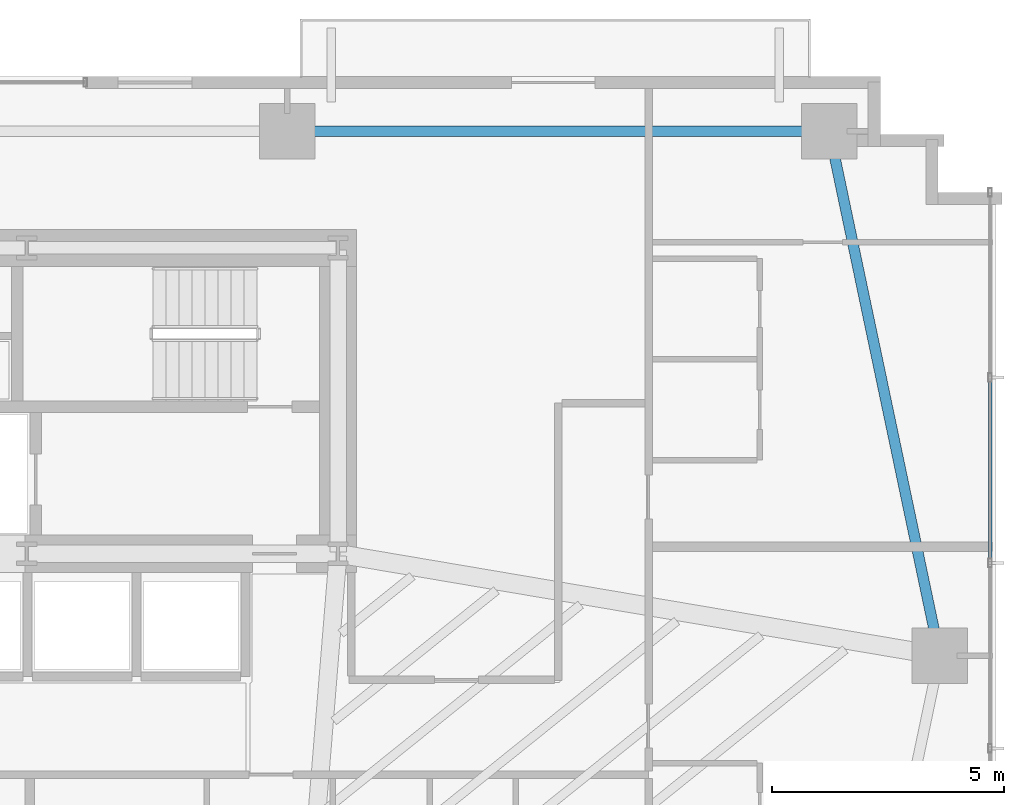
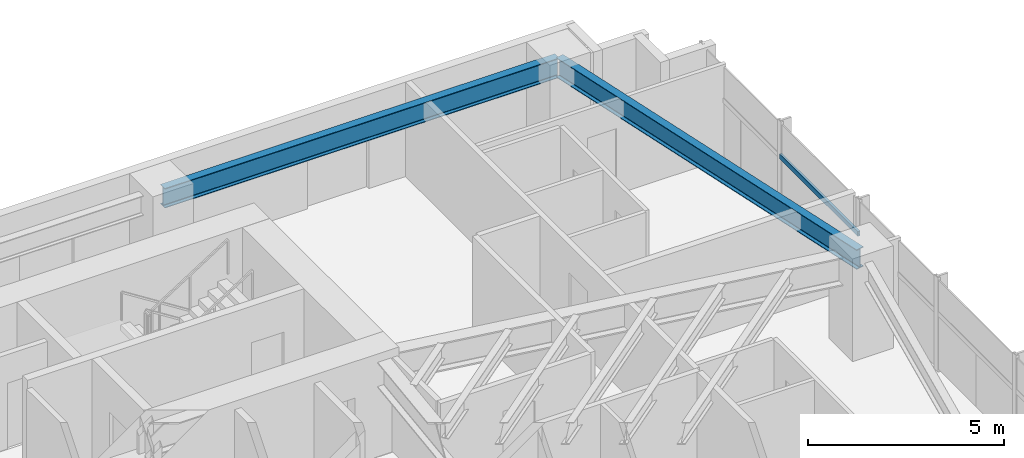
# One storey, part 16 of 25: 2 beams, 1 member, 1 element without a shape of its own.
"""IFC4 building model written with IfcOpenShell, lengths in metres."""

import ifcopenshell
import ifcopenshell.guid

model = None  # the IFC model being written
_history = None  # IfcOwnerHistory: only IFC2X3 demands one
_inside = {}  # id of a spatial element -> (the spatial element, [elements in it])
_under = {}  # id of a project, library or spatial element -> (it, [spatial elements below it])
_declared = {}  # id of a project -> (the project, [libraries it declares])
_typed = {}  # id of a type object -> (the type object, [elements of that type])
_made_of = {}  # id of a material, layer set ... -> (it, [elements and type objects made of it])


def new_model(schema):
    """Start an empty IFC model of exactly this schema.

    Asked for "IFC4X3", IfcOpenShell would pick the latest addendum, in which some entities
    have other attributes; the version numbers below select the first issue.
    IFC2X3 requires an IfcOwnerHistory on every rooted entity: one is made here for all.
    """
    global model, _history
    if schema == "IFC4X3":
        model = ifcopenshell.file(schema_version=(4, 3, 0, 0))
    else:
        model = ifcopenshell.file(schema=schema)
    _inside.clear()
    _under.clear()
    _declared.clear()
    _typed.clear()
    _made_of.clear()
    _history = None
    if model.schema == "IFC2X3":
        org = make("IfcOrganization", Name="unknown")
        user = make(
            "IfcPersonAndOrganization",
            ThePerson=make("IfcPerson", FamilyName="unknown"),
            TheOrganization=org,
        )
        app = make(
            "IfcApplication",
            ApplicationDeveloper=org,
            Version="unknown",
            ApplicationFullName="unknown",
            ApplicationIdentifier="unknown",
        )
        _history = make(
            "IfcOwnerHistory",
            OwningUser=user,
            OwningApplication=app,
            ChangeAction="ADDED",
            CreationDate=0,
        )
    return model


def make(cls, **values):
    """One entity of the class cls with the attributes given. An attribute that is None is left unset."""
    return model.create_entity(
        cls, **{name: value for name, value in values.items() if value is not None}
    )


def rooted(cls, **values):
    """An entity with a GlobalId (a new one), such as an element, a storey or a relation."""
    return make(cls, GlobalId=ifcopenshell.guid.new(), OwnerHistory=_history, **values)


def si_unit(unit_type, name, prefix=None):
    """IfcSIUnit, for example si_unit("LENGTHUNIT", "METRE", prefix="MILLI")."""
    return make("IfcSIUnit", UnitType=unit_type, Prefix=prefix, Name=name)


def assignment(units):
    """IfcUnitAssignment: the units of a project."""
    return None if units is None else make("IfcUnitAssignment", Units=units)


def point(xyz):
    """IfcCartesianPoint."""
    return None if xyz is None else make("IfcCartesianPoint", Coordinates=xyz)


def direction(xyz):
    """IfcDirection."""
    return None if xyz is None else make("IfcDirection", DirectionRatios=xyz)


def frame(location, z_axis=None, x_axis=None):
    """IfcAxis2Placement3D, a coordinate frame: its origin and axes. An axis left out is left unset."""
    return make(
        "IfcAxis2Placement3D",
        Location=point(location),
        Axis=direction(z_axis),
        RefDirection=direction(x_axis),
    )


def frame_2d(location, x_axis=None):
    """IfcAxis2Placement2D, a coordinate frame in the plane: its origin and x axis."""
    return make(
        "IfcAxis2Placement2D", Location=point(location), RefDirection=direction(x_axis)
    )


def origin():
    """The frame at (0, 0, 0) with its axes left unset."""
    return frame((0.0, 0.0, 0.0))


def origin_2d():
    """The frame at (0, 0) in the plane with its x axis left unset."""
    return frame_2d((0.0, 0.0))


def place(relative_to, where):
    """IfcLocalPlacement: puts the frame where relative to a parent placement (None: the world)."""
    return make(
        "IfcLocalPlacement", PlacementRelTo=relative_to, RelativePlacement=where
    )


def context(
    kind, dimensions, precision=None, world=None, true_north=None, identifier=None
):
    """IfcGeometricRepresentationContext, for example the 3D "Model" context."""
    return make(
        "IfcGeometricRepresentationContext",
        ContextIdentifier=identifier,
        ContextType=kind,
        CoordinateSpaceDimension=dimensions,
        Precision=precision,
        WorldCoordinateSystem=world,
        TrueNorth=true_north,
    )


def subcontext(parent, identifier, kind, view, scale=None):
    """IfcGeometricRepresentationSubContext, for example "Body" below "Model"."""
    return make(
        "IfcGeometricRepresentationSubContext",
        ContextIdentifier=identifier,
        ContextType=kind,
        ParentContext=parent,
        TargetScale=scale,
        TargetView=view,
    )


def project(units=None, contexts=None):
    """IfcProject with its units and contexts."""
    return rooted(
        "IfcProject",
        Name="project",
        RepresentationContexts=contexts,
        UnitsInContext=assignment(units),
    )


def spatial(cls, under=None, at=None, **own):
    """A site, building, storey or space (cls), placed at a placement, below another one or the project."""
    s = rooted(cls, ObjectPlacement=at, **own)
    if under is not None:
        _under.setdefault(under.id(), (under, []))[1].append(s)
    return s


def profile(cls, at=None, kind="AREA", **sizes):
    """A parametric profile (cls). Its sizes go by their IFC names, for example OverallWidth=200.0."""
    return make(cls, ProfileType=kind, Position=at, **sizes)


def hollow_rectangle(**sizes):
    """IfcRectangleHollowProfileDef."""
    return profile("IfcRectangleHollowProfileDef", **sizes)


def i_section(**sizes):
    """IfcIShapeProfileDef."""
    return profile("IfcIShapeProfileDef", **sizes)


def extrude(swept, where, along, depth):
    """IfcExtrudedAreaSolid: the profile swept, set in the frame where, extruded along a direction by depth."""
    return make(
        "IfcExtrudedAreaSolid",
        SweptArea=swept,
        Position=where,
        ExtrudedDirection=direction(along),
        Depth=depth,
    )


def shape(context_of_items, identifier, shape_type, items):
    """IfcShapeRepresentation: the items that make up one representation, for example the "Body"."""
    return make(
        "IfcShapeRepresentation",
        ContextOfItems=context_of_items,
        RepresentationIdentifier=identifier,
        RepresentationType=shape_type,
        Items=items,
    )


def source(mapping_origin, context_of_items, identifier, shape_type, items):
    """IfcRepresentationMap: a shape defined once, which mapped items show again and again."""
    return make(
        "IfcRepresentationMap",
        MappingOrigin=mapping_origin,
        MappedRepresentation=shape(context_of_items, identifier, shape_type, items),
    )


def transform(
    local_origin,
    x_axis=None,
    y_axis=None,
    z_axis=None,
    scale=None,
    scale2=None,
    scale3=None,
    uniform=True,
):
    """IfcCartesianTransformationOperator3D, or its non-uniform kind. x_axis, y_axis, z_axis: its Axis1, 2, 3."""
    if uniform:
        return make(
            "IfcCartesianTransformationOperator3D",
            Axis1=direction(x_axis),
            Axis2=direction(y_axis),
            LocalOrigin=point(local_origin),
            Scale=scale,
            Axis3=direction(z_axis),
        )
    return make(
        "IfcCartesianTransformationOperator3DnonUniform",
        Axis1=direction(x_axis),
        Axis2=direction(y_axis),
        LocalOrigin=point(local_origin),
        Scale=scale,
        Axis3=direction(z_axis),
        Scale2=scale2,
        Scale3=scale3,
    )


def mapped(mapping_source, mapping_target):
    """IfcMappedItem: shows the shape of a source again, moved by a transform."""
    return make(
        "IfcMappedItem", MappingSource=mapping_source, MappingTarget=mapping_target
    )


def material(Name=None, Category=None):
    """IfcMaterial."""
    return make("IfcMaterial", Name=Name, Category=Category)


def material_profile(
    of_material, cross_section, Name=None, Category=None, Priority=None
):
    """IfcMaterialProfile: a cross section and its material."""
    return make(
        "IfcMaterialProfile",
        Name=Name,
        Material=of_material,
        Profile=cross_section,
        Priority=Priority,
        Category=Category,
    )


def profile_set(profiles, Name=None, composite=None):
    """IfcMaterialProfileSet."""
    return make(
        "IfcMaterialProfileSet",
        Name=Name,
        MaterialProfiles=profiles,
        CompositeProfile=composite,
    )


def made_of(thing, what):
    """Note that an element or type object is made of a material, layer set ...; save() writes the relation."""
    if what is not None:
        _made_of.setdefault(what.id(), (what, []))[1].append(thing)
    return thing


def type_object(cls, material=None, **own):
    """A type object (cls), such as IfcWallType, which elements share."""
    return made_of(rooted(cls, **own), material)


def type_shapes(of_type, sources):
    """Give a type object the sources (RepresentationMaps) that its elements show as mapped items."""
    of_type.RepresentationMaps = sources


def element(
    cls,
    number,
    at=None,
    inside=None,
    cuts=None,
    type_object=None,
    material=None,
    context=None,
    identifier="Body",
    shape_type=None,
    held_by="IfcProductDefinitionShape",
    body=None,
    shapes=None,
    **own,
):
    """One element of the class cls, such as IfcWall. Its Tag is "e" and its number.

    at: its placement. inside: the storey or other place that contains it. cuts: it is an
    opening in that element (IfcRelVoidsElement). A single representation is given by context,
    identifier, shape_type and body (its items); several are given by shapes. held_by: the class
    of the entity that holds the representations. save() writes the other relations.
    """
    e = rooted(cls, Tag="e%d" % number, ObjectPlacement=at, **own)
    if body is not None:
        shapes = [shape(context, identifier, shape_type, body)]
    if shapes is not None:
        e.Representation = make(held_by, Representations=shapes)
    if inside is not None:
        _inside.setdefault(inside.id(), (inside, []))[1].append(e)
    if cuts is not None:
        rooted(
            "IfcRelVoidsElement", RelatingBuildingElement=cuts, RelatedOpeningElement=e
        )
    if type_object is not None:
        _typed.setdefault(type_object.id(), (type_object, []))[1].append(e)
    return made_of(e, material)


def aggregate(whole, parts):
    """IfcRelAggregates: a whole, such as a stair, and the parts it consists of."""
    return rooted("IfcRelAggregates", RelatingObject=whole, RelatedObjects=parts)


def save(model, path):
    """Write the relations noted so far, then the file.

    IfcRelAggregates (storeys below a building ...), IfcRelContainedInSpatialStructure (elements
    in a storey), IfcRelDefinesByType, IfcRelAssociatesMaterial and IfcRelDeclares: one each for
    every whole, place, type object, material and project.
    """
    for whole, parts in _under.values():
        aggregate(whole, parts)
    for where, things in _inside.values():
        rooted(
            "IfcRelContainedInSpatialStructure",
            RelatedElements=things,
            RelatingStructure=where,
        )
    for kind, things in _typed.values():
        rooted("IfcRelDefinesByType", RelatedObjects=things, RelatingType=kind)
    for what, things in _made_of.values():
        rooted("IfcRelAssociatesMaterial", RelatedObjects=things, RelatingMaterial=what)
    for by, libraries in _declared.values():
        rooted("IfcRelDeclares", RelatingContext=by, RelatedDefinitions=libraries)
    model.write(path)


model = new_model("IFC4")

# Units and contexts
model_context = context("Model", 3, precision=1e-05, world=origin(), true_north=direction((0.0, 1.0)))
body_context = subcontext(model_context, "Body", "Model", "MODEL_VIEW")
ifc_project = project(units=[si_unit("LENGTHUNIT", "METRE"), si_unit("AREAUNIT", "SQUARE_METRE"), si_unit("VOLUMEUNIT", "CUBIC_METRE"), si_unit("PLANEANGLEUNIT", "RADIAN"), si_unit("MASSUNIT", "GRAM", prefix="KILO")], contexts=[model_context])

# Site, building, storey
site_placement = place(None, origin())
site = spatial("IfcSite", under=ifc_project, at=site_placement, CompositionType="ELEMENT")
building_placement = place(site_placement, origin())
building = spatial("IfcBuilding", under=site, at=building_placement, Name="Astriad Promenade Condominiums", CompositionType="ELEMENT")
storey_placement = place(building_placement, frame((0.0, 0.0, 42.199951171875)))
storey = spatial("IfcBuildingStorey", under=building, at=storey_placement, Name="L11", CompositionType="ELEMENT", Elevation=42.199951171875)

# Beams
ifc_material_1 = material(Name="Steel ASTM A992 Grade 50", Category="steel")
ifc_material_profile_1 = material_profile(ifc_material_1, i_section(OverallWidth=0.22900390625, OverallDepth=0.612060546875, WebThickness=0.011962890625, FlangeThickness=0.01953125, FilletRadius=0.017822265625, at=origin_2d()), Name="W24X84")
ifc_profile_set_1 = profile_set([ifc_material_profile_1], Name="Steel ASTM A992 Grade 50")
beam_type = type_object("IfcBeamType", Name="STEEL SPANDREL BEAM W24X84", PredefinedType="SPANDREL", material=ifc_profile_set_1)
shared_shape_1 = source(origin(), body_context, "Body", "SweptSolid", [
    extrude(i_section(OverallWidth=0.22900390625, OverallDepth=0.612060546875, WebThickness=0.011962890625, FlangeThickness=0.01953125, FilletRadius=0.017822265625, at=origin_2d()), origin(), (0.0, 0.0, 1.0), 11.619873046875),
])
beam_1_placement = place(storey_placement, frame((56.159912109375, 26.52001953125, 2.634033203125), z_axis=(-1.0, 0.0, 0.0), x_axis=(0.0, -1.0, 0.0)))
element("IfcBeam", 1, at=beam_1_placement, inside=storey, type_object=beam_type, Name="Perimeter Spandrel Beam SP-N4-L11", PredefinedType="SPANDREL", context=body_context, shape_type="MappedRepresentation", body=[
    mapped(shared_shape_1, transform((0.0, 0.0, 0.0), scale=1.0)),
])
shared_shape_2 = source(origin(), body_context, "Body", "SweptSolid", [
    extrude(i_section(OverallWidth=0.22900390625, OverallDepth=0.612060546875, WebThickness=0.011962890625, FlangeThickness=0.01953125, FilletRadius=0.017822265625, at=origin_2d()), origin(), (0.0, 0.0, 1.0), 11.48779296875),
])
type_shapes(beam_type, [shared_shape_1, shared_shape_2])
beam_2_placement = place(storey_placement, frame((58.57177734375, 15.239013671875, 2.634033203125), z_axis=(-0.205743776427, 0.978605895374, 0.0), x_axis=(-0.978605895374, -0.205743776427, 0.0)))
element("IfcBeam", 2, at=beam_2_placement, inside=storey, type_object=beam_type, Name="Perimeter Spandrel Beam SP-E2-L11", PredefinedType="SPANDREL", context=body_context, shape_type="MappedRepresentation", body=[
    mapped(shared_shape_2, transform((0.0, 0.0, 0.0), scale=1.0)),
])

# Curtain wall, member
ifc_material_2 = material(Name="Anodised aluminium Black Dark Glass Unitised", Category="aluminium")
curtain_wall_type = type_object("IfcCurtainWallType", Name="CW-B1-DARK", PredefinedType="USERDEFINED", material=ifc_material_2)
curtain_wall_placement = place(storey_placement, origin())
curtain_wall = element("IfcCurtainWall", 3, at=curtain_wall_placement, inside=storey, type_object=curtain_wall_type, Name="CW-L11-E", ObjectType="UNITISED_CURTAIN_WALL", PredefinedType="USERDEFINED")
ifc_material_3 = material(Name="Anodised aluminium 6063-T6 Black", Category="aluminium")
ifc_material_profile_2 = material_profile(ifc_material_3, hollow_rectangle(XDim=0.074951171875, YDim=0.14990234375, WallThickness=0.004150390625, at=origin_2d()), Name="ALU-TRN-75X150")
ifc_profile_set_2 = profile_set([ifc_material_profile_2], Name="Anodised aluminium 6063-T6 Black")
member_type = type_object("IfcMemberType", Name="TRN-ALU-TRN-75X150", PredefinedType="USERDEFINED", material=ifc_profile_set_2)
shared_shape_3 = source(origin(), body_context, "Body", "SweptSolid", [
    extrude(hollow_rectangle(XDim=0.074951171875, YDim=0.14990234375, WallThickness=0.004150390625, at=origin_2d()), origin(), (0.0, 0.0, 1.0), 4.0),
])
type_shapes(member_type, [shared_shape_3])
member_placement = place(storey_placement, frame((59.669921875, 21.199951171875, 1.82275390625), z_axis=(0.0, -1.0, 0.0), x_axis=(1.0, 0.0, 0.0)))
member = element("IfcMember", 4, at=member_placement, type_object=member_type, Name="CW-L11-E-TRN-01-0", ObjectType="TRANSOM", PredefinedType="USERDEFINED", context=body_context, shape_type="MappedRepresentation", body=[
    mapped(shared_shape_3, transform((0.0, 0.0, 0.0), scale=1.0)),
])
aggregate(curtain_wall, [member])

save(model, "model.ifc")
